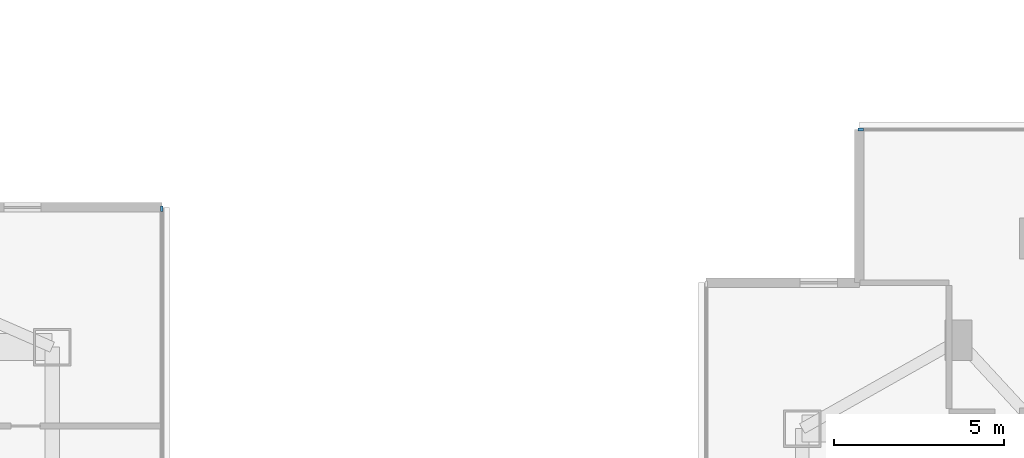
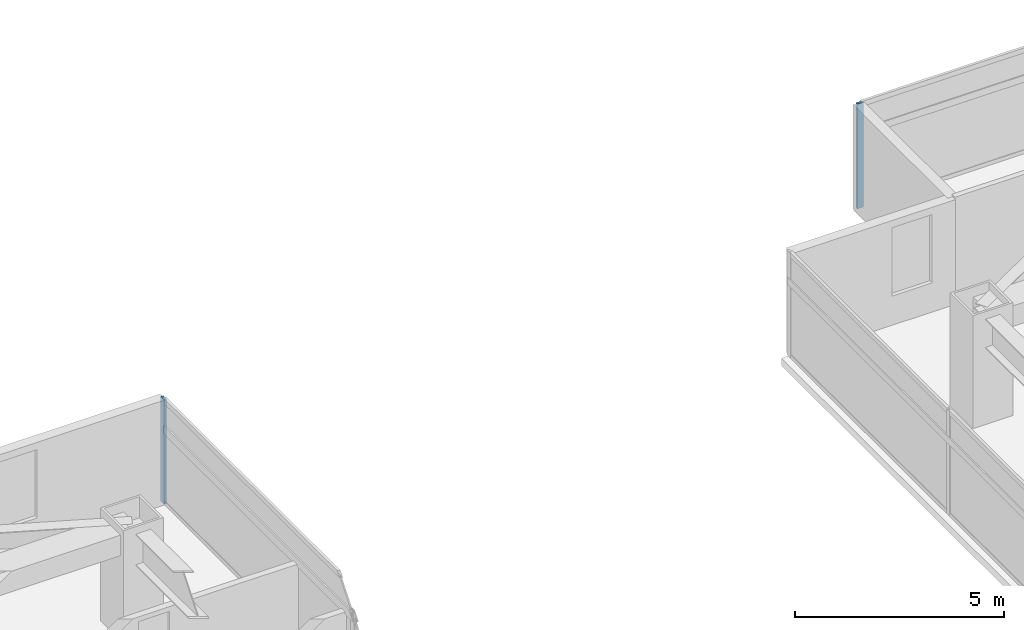
# One storey, part 7 of 25: 2 members, 2 elements without a shape of their own.
"""IFC4 building model written with IfcOpenShell, lengths in metres."""

from ifc_helpers import new_model, si_unit, direction, frame, origin, origin_2d, place, context, subcontext, project, spatial, rectangle, extrude, material, material_profile, profile_set, type_object, element, aggregate, save


model = new_model("IFC4")

# Units and contexts
model_context = context("Model", 3, precision=1e-05, world=origin(), true_north=direction((0.0, 1.0)))
body_context = subcontext(model_context, "Body", "Model", "MODEL_VIEW")
ifc_project = project(units=[si_unit("LENGTHUNIT", "METRE"), si_unit("AREAUNIT", "SQUARE_METRE"), si_unit("VOLUMEUNIT", "CUBIC_METRE"), si_unit("PLANEANGLEUNIT", "RADIAN"), si_unit("MASSUNIT", "GRAM", prefix="KILO")], contexts=[model_context])

# Site, building, storey
site_placement = place(None, origin())
site = spatial("IfcSite", under=ifc_project, at=site_placement, CompositionType="ELEMENT")
building_placement = place(site_placement, origin())
building = spatial("IfcBuilding", under=site, at=building_placement, Name="Mirazonda Arch Towers", CompositionType="ELEMENT")
storey_placement = place(building_placement, frame((0.0, 0.0, 104.89990234375)))
storey = spatial("IfcBuildingStorey", under=building, at=storey_placement, Name="L29", CompositionType="ELEMENT", Elevation=104.89990234375)

# Curtain wall, member
ifc_material_1 = material(Name="Anodised Aluminium and Low-E Glass", Category="aluminium")
curtain_wall_type = type_object("IfcCurtainWallType", Name="CW-HTL-UNIT", PredefinedType="NOTDEFINED", material=ifc_material_1)
curtain_wall_1_placement = place(storey_placement, origin())
curtain_wall_1 = element("IfcCurtainWall", 1, at=curtain_wall_1_placement, inside=storey, type_object=curtain_wall_type, Name="L29 T1 E Facade CW-L29-T1-E", PredefinedType="NOTDEFINED")
ifc_material_2 = material(Name="Anodised Aluminium Alloy", Category="aluminium")
ifc_material_profile = material_profile(ifc_material_2, rectangle(XDim=0.074951171875, YDim=0.1650390625, at=origin_2d()), Name="ALU-MULL-75x165")
ifc_profile_set = profile_set([ifc_material_profile], Name="Anodised Aluminium Alloy")
member_type = type_object("IfcMemberType", Name="MULL-CW-HTL-UNIT", PredefinedType="MULLION", material=ifc_profile_set)
member_1_placement = place(storey_placement, frame((42.1298828125, 41.677490234375, 0.0), z_axis=(0.0, 0.0, 1.0), x_axis=(-1.0, 0.0, 0.0)))
member_1 = element("IfcMember", 2, at=member_1_placement, type_object=member_type, Name="CW-112 mullion 4", PredefinedType="MULLION", context=body_context, shape_type="SweptSolid", body=[
    extrude(rectangle(XDim=0.074951171875, YDim=0.1650390625, at=origin_2d()), origin(), (0.0, 0.0, 1.0), 3.06005859375),
])
aggregate(curtain_wall_1, [member_1])

curtain_wall_2_placement = place(storey_placement, origin())
curtain_wall_2 = element("IfcCurtainWall", 3, at=curtain_wall_2_placement, inside=storey, type_object=curtain_wall_type, Name="L29 T2 N Facade CW-L29-T2-N", PredefinedType="NOTDEFINED")
member_2_placement = place(storey_placement, frame((62.72119140625, 44.013916015625, 0.0), z_axis=(0.0, 0.0, 1.0), x_axis=(0.0, 1.0, 0.0)))
member_2 = element("IfcMember", 4, at=member_2_placement, type_object=member_type, Name="CW-112 mullion 1", PredefinedType="MULLION", context=body_context, shape_type="SweptSolid", body=[
    extrude(rectangle(XDim=0.074951171875, YDim=0.1650390625, at=origin_2d()), origin(), (0.0, 0.0, 1.0), 3.06005859375),
])
aggregate(curtain_wall_2, [member_2])

save(model, "model.ifc")
